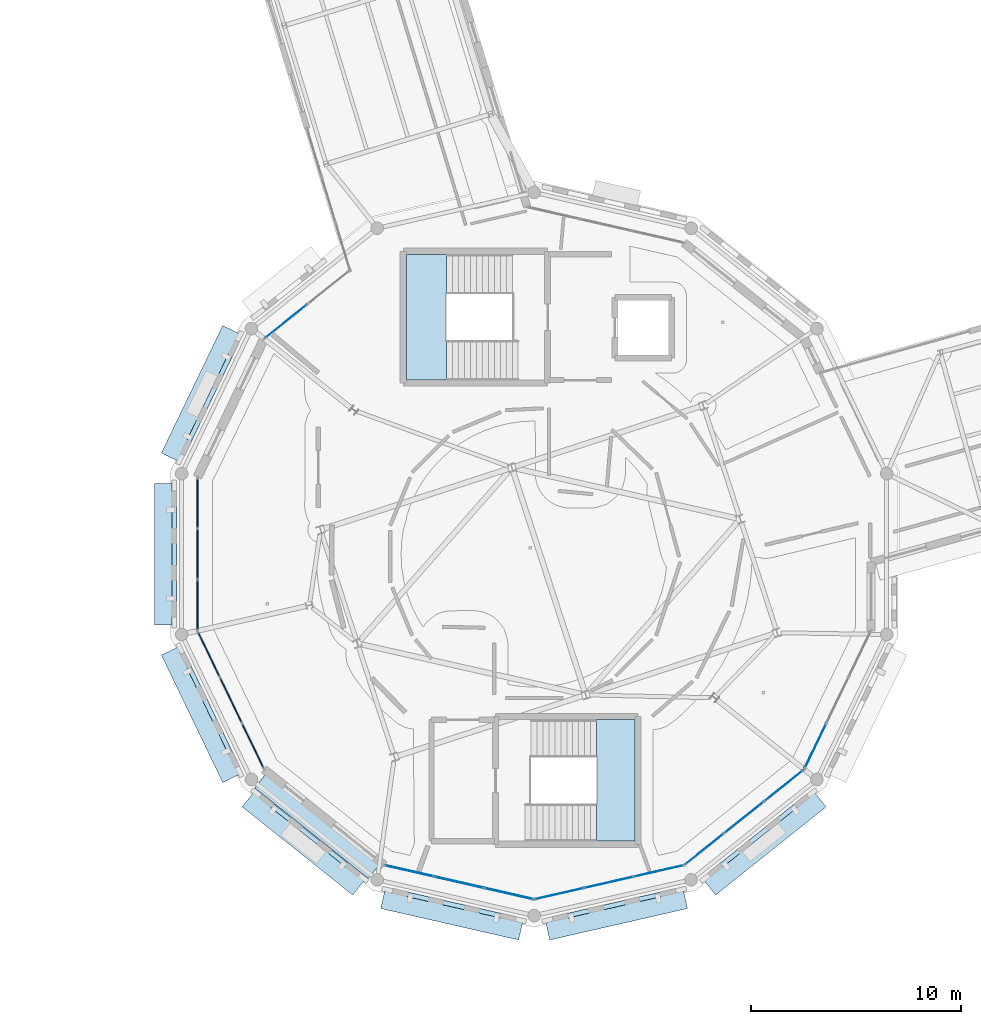
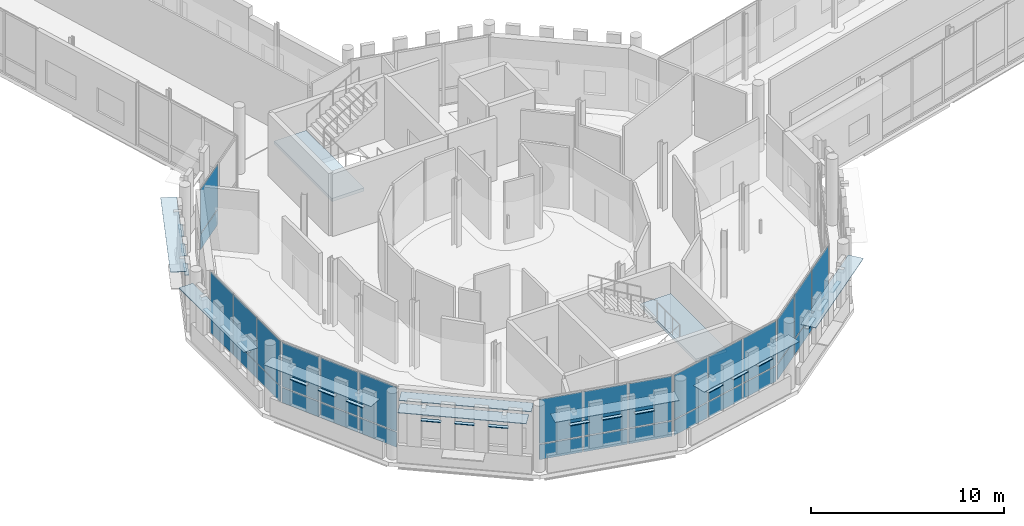
# One storey, part 70 of 125: 62 plates, 2 slabs, 9 elements without a shape of their own.
"""IFC4 building model written with IfcOpenShell, lengths in metres."""

import ifcopenshell
import ifcopenshell.guid

model = None  # the IFC model being written
_history = None  # IfcOwnerHistory: only IFC2X3 demands one
_inside = {}  # id of a spatial element -> (the spatial element, [elements in it])
_under = {}  # id of a project, library or spatial element -> (it, [spatial elements below it])
_declared = {}  # id of a project -> (the project, [libraries it declares])
_typed = {}  # id of a type object -> (the type object, [elements of that type])
_made_of = {}  # id of a material, layer set ... -> (it, [elements and type objects made of it])


def new_model(schema):
    """Start an empty IFC model of exactly this schema.

    Asked for "IFC4X3", IfcOpenShell would pick the latest addendum, in which some entities
    have other attributes; the version numbers below select the first issue.
    IFC2X3 requires an IfcOwnerHistory on every rooted entity: one is made here for all.
    """
    global model, _history
    if schema == "IFC4X3":
        model = ifcopenshell.file(schema_version=(4, 3, 0, 0))
    else:
        model = ifcopenshell.file(schema=schema)
    _inside.clear()
    _under.clear()
    _declared.clear()
    _typed.clear()
    _made_of.clear()
    _history = None
    if model.schema == "IFC2X3":
        org = make("IfcOrganization", Name="unknown")
        user = make(
            "IfcPersonAndOrganization",
            ThePerson=make("IfcPerson", FamilyName="unknown"),
            TheOrganization=org,
        )
        app = make(
            "IfcApplication",
            ApplicationDeveloper=org,
            Version="unknown",
            ApplicationFullName="unknown",
            ApplicationIdentifier="unknown",
        )
        _history = make(
            "IfcOwnerHistory",
            OwningUser=user,
            OwningApplication=app,
            ChangeAction="ADDED",
            CreationDate=0,
        )
    return model


def make(cls, **values):
    """One entity of the class cls with the attributes given. An attribute that is None is left unset."""
    return model.create_entity(
        cls, **{name: value for name, value in values.items() if value is not None}
    )


def rooted(cls, **values):
    """An entity with a GlobalId (a new one), such as an element, a storey or a relation."""
    return make(cls, GlobalId=ifcopenshell.guid.new(), OwnerHistory=_history, **values)


def si_unit(unit_type, name, prefix=None):
    """IfcSIUnit, for example si_unit("LENGTHUNIT", "METRE", prefix="MILLI")."""
    return make("IfcSIUnit", UnitType=unit_type, Prefix=prefix, Name=name)


def assignment(units):
    """IfcUnitAssignment: the units of a project."""
    return None if units is None else make("IfcUnitAssignment", Units=units)


def point(xyz):
    """IfcCartesianPoint."""
    return None if xyz is None else make("IfcCartesianPoint", Coordinates=xyz)


def direction(xyz):
    """IfcDirection."""
    return None if xyz is None else make("IfcDirection", DirectionRatios=xyz)


def frame(location, z_axis=None, x_axis=None):
    """IfcAxis2Placement3D, a coordinate frame: its origin and axes. An axis left out is left unset."""
    return make(
        "IfcAxis2Placement3D",
        Location=point(location),
        Axis=direction(z_axis),
        RefDirection=direction(x_axis),
    )


def frame_2d(location, x_axis=None):
    """IfcAxis2Placement2D, a coordinate frame in the plane: its origin and x axis."""
    return make(
        "IfcAxis2Placement2D", Location=point(location), RefDirection=direction(x_axis)
    )


def origin():
    """The frame at (0, 0, 0) with its axes left unset."""
    return frame((0.0, 0.0, 0.0))


def origin_2d():
    """The frame at (0, 0) in the plane with its x axis left unset."""
    return frame_2d((0.0, 0.0))


def place(relative_to, where):
    """IfcLocalPlacement: puts the frame where relative to a parent placement (None: the world)."""
    return make(
        "IfcLocalPlacement", PlacementRelTo=relative_to, RelativePlacement=where
    )


def context(
    kind, dimensions, precision=None, world=None, true_north=None, identifier=None
):
    """IfcGeometricRepresentationContext, for example the 3D "Model" context."""
    return make(
        "IfcGeometricRepresentationContext",
        ContextIdentifier=identifier,
        ContextType=kind,
        CoordinateSpaceDimension=dimensions,
        Precision=precision,
        WorldCoordinateSystem=world,
        TrueNorth=true_north,
    )


def subcontext(parent, identifier, kind, view, scale=None):
    """IfcGeometricRepresentationSubContext, for example "Body" below "Model"."""
    return make(
        "IfcGeometricRepresentationSubContext",
        ContextIdentifier=identifier,
        ContextType=kind,
        ParentContext=parent,
        TargetScale=scale,
        TargetView=view,
    )


def project(units=None, contexts=None):
    """IfcProject with its units and contexts."""
    return rooted(
        "IfcProject",
        Name="project",
        RepresentationContexts=contexts,
        UnitsInContext=assignment(units),
    )


def spatial(cls, under=None, at=None, **own):
    """A site, building, storey or space (cls), placed at a placement, below another one or the project."""
    s = rooted(cls, ObjectPlacement=at, **own)
    if under is not None:
        _under.setdefault(under.id(), (under, []))[1].append(s)
    return s


def polyline(points):
    """IfcPolyline through the points."""
    return make("IfcPolyline", Points=[point(p) for p in points])


def profile(cls, at=None, kind="AREA", **sizes):
    """A parametric profile (cls). Its sizes go by their IFC names, for example OverallWidth=200.0."""
    return make(cls, ProfileType=kind, Position=at, **sizes)


def rectangle(**sizes):
    """IfcRectangleProfileDef."""
    return profile("IfcRectangleProfileDef", **sizes)


def outline(outer, holes=None, kind="AREA"):
    """IfcArbitraryClosedProfileDef: a profile drawn as a closed curve; with holes, ...WithVoids."""
    if holes is None:
        return make("IfcArbitraryClosedProfileDef", ProfileType=kind, OuterCurve=outer)
    return make(
        "IfcArbitraryProfileDefWithVoids",
        ProfileType=kind,
        OuterCurve=outer,
        InnerCurves=holes,
    )


def extrude(swept, where, along, depth):
    """IfcExtrudedAreaSolid: the profile swept, set in the frame where, extruded along a direction by depth."""
    return make(
        "IfcExtrudedAreaSolid",
        SweptArea=swept,
        Position=where,
        ExtrudedDirection=direction(along),
        Depth=depth,
    )


def shape(context_of_items, identifier, shape_type, items):
    """IfcShapeRepresentation: the items that make up one representation, for example the "Body"."""
    return make(
        "IfcShapeRepresentation",
        ContextOfItems=context_of_items,
        RepresentationIdentifier=identifier,
        RepresentationType=shape_type,
        Items=items,
    )


def material(Name=None, Category=None):
    """IfcMaterial."""
    return make("IfcMaterial", Name=Name, Category=Category)


def layer(
    of_material, thickness, ventilated=None, Name=None, Category=None, Priority=None
):
    """IfcMaterialLayer: one layer of a wall or slab, of a material (None: an air gap)."""
    return make(
        "IfcMaterialLayer",
        Material=of_material,
        LayerThickness=thickness,
        IsVentilated=ventilated,
        Name=Name,
        Category=Category,
        Priority=Priority,
    )


def layer_set(layers, Name=None):
    """IfcMaterialLayerSet."""
    return make("IfcMaterialLayerSet", MaterialLayers=layers, LayerSetName=Name)


def made_of(thing, what):
    """Note that an element or type object is made of a material, layer set ...; save() writes the relation."""
    if what is not None:
        _made_of.setdefault(what.id(), (what, []))[1].append(thing)
    return thing


def type_object(cls, material=None, **own):
    """A type object (cls), such as IfcWallType, which elements share."""
    return made_of(rooted(cls, **own), material)


def element(
    cls,
    number,
    at=None,
    inside=None,
    cuts=None,
    type_object=None,
    material=None,
    context=None,
    identifier="Body",
    shape_type=None,
    held_by="IfcProductDefinitionShape",
    body=None,
    shapes=None,
    **own,
):
    """One element of the class cls, such as IfcWall. Its Tag is "e" and its number.

    at: its placement. inside: the storey or other place that contains it. cuts: it is an
    opening in that element (IfcRelVoidsElement). A single representation is given by context,
    identifier, shape_type and body (its items); several are given by shapes. held_by: the class
    of the entity that holds the representations. save() writes the other relations.
    """
    e = rooted(cls, Tag="e%d" % number, ObjectPlacement=at, **own)
    if body is not None:
        shapes = [shape(context, identifier, shape_type, body)]
    if shapes is not None:
        e.Representation = make(held_by, Representations=shapes)
    if inside is not None:
        _inside.setdefault(inside.id(), (inside, []))[1].append(e)
    if cuts is not None:
        rooted(
            "IfcRelVoidsElement", RelatingBuildingElement=cuts, RelatedOpeningElement=e
        )
    if type_object is not None:
        _typed.setdefault(type_object.id(), (type_object, []))[1].append(e)
    return made_of(e, material)


def aggregate(whole, parts):
    """IfcRelAggregates: a whole, such as a stair, and the parts it consists of."""
    return rooted("IfcRelAggregates", RelatingObject=whole, RelatedObjects=parts)


def save(model, path):
    """Write the relations noted so far, then the file.

    IfcRelAggregates (storeys below a building ...), IfcRelContainedInSpatialStructure (elements
    in a storey), IfcRelDefinesByType, IfcRelAssociatesMaterial and IfcRelDeclares: one each for
    every whole, place, type object, material and project.
    """
    for whole, parts in _under.values():
        aggregate(whole, parts)
    for where, things in _inside.values():
        rooted(
            "IfcRelContainedInSpatialStructure",
            RelatedElements=things,
            RelatingStructure=where,
        )
    for kind, things in _typed.values():
        rooted("IfcRelDefinesByType", RelatedObjects=things, RelatingType=kind)
    for what, things in _made_of.values():
        rooted("IfcRelAssociatesMaterial", RelatedObjects=things, RelatingMaterial=what)
    for by, libraries in _declared.values():
        rooted("IfcRelDeclares", RelatingContext=by, RelatedDefinitions=libraries)
    model.write(path)


model = new_model("IFC4")

# Units and contexts
model_context = context("Model", 3, precision=1e-05, world=origin(), true_north=direction((0.0, 1.0)))
body_context = subcontext(model_context, "Body", "Model", "MODEL_VIEW")
ifc_project = project(units=[si_unit("LENGTHUNIT", "METRE"), si_unit("AREAUNIT", "SQUARE_METRE"), si_unit("VOLUMEUNIT", "CUBIC_METRE"), si_unit("PLANEANGLEUNIT", "RADIAN"), si_unit("MASSUNIT", "GRAM", prefix="KILO")], contexts=[model_context])

# Site, building, storey
site_placement = place(None, origin())
site = spatial("IfcSite", under=ifc_project, at=site_placement, CompositionType="ELEMENT")
building_placement = place(site_placement, origin())
building = spatial("IfcBuilding", under=site, at=building_placement, Name="Wrenclough Park School", CompositionType="ELEMENT")
storey_placement = place(building_placement, frame((0.0, 0.0, 4.199951171875)))
storey = spatial("IfcBuildingStorey", under=building, at=storey_placement, Name="L01", CompositionType="ELEMENT", Elevation=4.199951171875)

# Curtain wall, plates
ifc_material_1 = material(Name="Thermally broken aluminium and low-e glass curtain wall", Category="aluminium")
curtain_wall_type_1 = type_object("IfcCurtainWallType", Name="ENV-CW-05", PredefinedType="USERDEFINED", material=ifc_material_1)
curtain_wall_1_placement = place(storey_placement, origin())
curtain_wall_1 = element("IfcCurtainWall", 1, at=curtain_wall_1_placement, inside=storey, type_object=curtain_wall_type_1, Name="L01 recessed curtain wall assembly 084", ObjectType="CURTAIN WALL", PredefinedType="USERDEFINED")
ifc_material_2 = material(Name="Double-glazed solar-control low-e glass", Category="glass")
ifc_layer_1 = layer(ifc_material_2, 0.02587890625)
ifc_layer_set_1 = layer_set([ifc_layer_1], Name="Double-glazed solar-control low-e glass")
plate_type_1 = type_object("IfcPlateType", Name="ENV-CWP-GL26", PredefinedType="CURTAIN_PANEL", material=ifc_layer_set_1)
plate_1_placement = place(storey_placement, frame((42.4404296875, 8.37890625, 0.06005859375), z_axis=(0.0, 0.0, 1.0), x_axis=(-0.974929544745, -0.222513781108, 0.0)))
plate_1 = element("IfcPlate", 2, at=plate_1_placement, type_object=plate_type_1, Name="CW-05 panel 1.1", PredefinedType="CURTAIN_PANEL", context=body_context, shape_type="SweptSolid", body=[
    extrude(rectangle(XDim=2.3515625, YDim=0.02587890625, at=origin_2d()), origin(), (0.0, 0.0, 1.0), 0.9599609375),
])
plate_2_placement = place(storey_placement, frame((42.4404296875, 8.37890625, 1.080078125), z_axis=(0.0, 0.0, 1.0), x_axis=(-0.974929544745, -0.222513781108, 0.0)))
plate_2 = element("IfcPlate", 3, at=plate_2_placement, type_object=plate_type_1, Name="CW-05 panel 1.2", PredefinedType="CURTAIN_PANEL", context=body_context, shape_type="SweptSolid", body=[
    extrude(rectangle(XDim=2.3515625, YDim=0.02587890625, at=origin_2d()), origin(), (0.0, 0.0, 1.0), 2.800048828125),
])
plate_3_placement = place(storey_placement, frame((40.074462890625, 7.8388671875, 0.06005859375), z_axis=(0.0, 0.0, 1.0), x_axis=(-0.974929544745, -0.222513781108, 0.0)))
plate_3 = element("IfcPlate", 4, at=plate_3_placement, type_object=plate_type_1, Name="CW-05 panel 2.1", PredefinedType="CURTAIN_PANEL", context=body_context, shape_type="SweptSolid", body=[
    extrude(rectangle(XDim=2.381591796875, YDim=0.02587890625, at=origin_2d()), origin(), (0.0, 0.0, 1.0), 0.9599609375),
])
plate_4_placement = place(storey_placement, frame((40.074462890625, 7.8388671875, 1.080078125), z_axis=(0.0, 0.0, 1.0), x_axis=(-0.974929544745, -0.222513781108, 0.0)))
plate_4 = element("IfcPlate", 5, at=plate_4_placement, type_object=plate_type_1, Name="CW-05 panel 2.2", PredefinedType="CURTAIN_PANEL", context=body_context, shape_type="SweptSolid", body=[
    extrude(rectangle(XDim=2.381591796875, YDim=0.02587890625, at=origin_2d()), origin(), (0.0, 0.0, 1.0), 2.800048828125),
])
plate_5_placement = place(storey_placement, frame((37.708740234375, 7.299072265625, 0.06005859375), z_axis=(0.0, 0.0, 1.0), x_axis=(-0.974929544745, -0.222513781108, 0.0)))
plate_5 = element("IfcPlate", 6, at=plate_5_placement, type_object=plate_type_1, Name="CW-05 panel 3.1", PredefinedType="CURTAIN_PANEL", context=body_context, shape_type="SweptSolid", body=[
    extrude(rectangle(XDim=2.3515625, YDim=0.02587890625, at=origin_2d()), origin(), (0.0, 0.0, 1.0), 0.9599609375),
])
plate_6_placement = place(storey_placement, frame((37.708740234375, 7.299072265625, 1.080078125), z_axis=(0.0, 0.0, 1.0), x_axis=(-0.974929544745, -0.222513781108, 0.0)))
plate_6 = element("IfcPlate", 7, at=plate_6_placement, type_object=plate_type_1, Name="CW-05 panel 3.2", PredefinedType="CURTAIN_PANEL", context=body_context, shape_type="SweptSolid", body=[
    extrude(rectangle(XDim=2.3515625, YDim=0.02587890625, at=origin_2d()), origin(), (0.0, 0.0, 1.0), 2.800048828125),
])
aggregate(curtain_wall_1, [plate_1, plate_2, plate_3, plate_4, plate_5, plate_6])

curtain_wall_type_2 = type_object("IfcCurtainWallType", Name="ENV-CW-09", PredefinedType="USERDEFINED", material=ifc_material_1)
curtain_wall_2_placement = place(storey_placement, origin())
curtain_wall_2 = element("IfcCurtainWall", 8, at=curtain_wall_2_placement, inside=storey, type_object=curtain_wall_type_2, Name="L01 recessed curtain wall assembly 088", ObjectType="CURTAIN WALL", PredefinedType="USERDEFINED")
plate_7_placement = place(storey_placement, frame((24.656494140625, 34.6015625, 0.06494140625), z_axis=(0.0, 0.0, 1.0), x_axis=(0.781848493934, 0.623468469558, 0.0)))
plate_7 = element("IfcPlate", 9, at=plate_7_placement, type_object=plate_type_1, Name="CW-09 panel 1.1", PredefinedType="CURTAIN_PANEL", context=body_context, shape_type="SweptSolid", body=[
    extrude(rectangle(XDim=2.51904296875, YDim=0.02587890625, at=origin_2d()), origin(), (0.0, 0.0, 1.0), 0.952392578125),
])
plate_8_placement = place(storey_placement, frame((24.656494140625, 34.6015625, 1.08251953125), z_axis=(0.0, 0.0, 1.0), x_axis=(0.781848493934, 0.623468469558, 0.0)))
plate_8 = element("IfcPlate", 10, at=plate_8_placement, type_object=plate_type_1, Name="CW-09 panel 1.2", PredefinedType="CURTAIN_PANEL", context=body_context, shape_type="SweptSolid", body=[
    extrude(rectangle(XDim=2.51904296875, YDim=0.02587890625, at=origin_2d()), origin(), (0.0, 0.0, 1.0), 2.79248046875),
])
aggregate(curtain_wall_2, [plate_7, plate_8])

curtain_wall_type_3 = type_object("IfcCurtainWallType", Name="ENV-CW-13", PredefinedType="USERDEFINED", material=ifc_material_1)
curtain_wall_3_placement = place(storey_placement, origin())
curtain_wall_3 = element("IfcCurtainWall", 11, at=curtain_wall_3_placement, inside=storey, type_object=curtain_wall_type_3, Name="L01 recessed curtain wall assembly 140", ObjectType="CURTAIN WALL", PredefinedType="USERDEFINED")
plate_9_placement = place(storey_placement, frame((48.410888671875, 12.4521484375, 0.06982421875), z_axis=(0.0, 0.0, 1.0), x_axis=(-0.781836181091, -0.623483909926, 0.0)))
plate_9 = element("IfcPlate", 12, at=plate_9_placement, type_object=plate_type_1, Name="CW-13 panel 1.1", PredefinedType="CURTAIN_PANEL", context=body_context, shape_type="SweptSolid", body=[
    extrude(rectangle(XDim=2.336669921875, YDim=0.02587890625, at=origin_2d()), origin(), (0.0, 0.0, 1.0), 0.945068359375),
])
plate_10_placement = place(storey_placement, frame((48.410888671875, 12.4521484375, 1.0849609375), z_axis=(0.0, 0.0, 1.0), x_axis=(-0.781836181091, -0.623483909926, 0.0)))
plate_10 = element("IfcPlate", 13, at=plate_10_placement, type_object=plate_type_1, Name="CW-13 panel 1.2", PredefinedType="CURTAIN_PANEL", context=body_context, shape_type="SweptSolid", body=[
    extrude(rectangle(XDim=2.336669921875, YDim=0.02587890625, at=origin_2d()), origin(), (0.0, 0.0, 1.0), 2.784912109375),
])
plate_11_placement = place(storey_placement, frame((46.515625, 10.940673828125, 0.06982421875), z_axis=(0.0, 0.0, 1.0), x_axis=(-0.781836181091, -0.623483909926, 0.0)))
plate_11 = element("IfcPlate", 14, at=plate_11_placement, type_object=plate_type_1, Name="CW-13 panel 2.1", PredefinedType="CURTAIN_PANEL", context=body_context, shape_type="SweptSolid", body=[
    extrude(rectangle(XDim=2.37158203125, YDim=0.02587890625, at=origin_2d()), origin(), (0.0, 0.0, 1.0), 0.945068359375),
])
plate_12_placement = place(storey_placement, frame((46.515625, 10.940673828125, 1.0849609375), z_axis=(0.0, 0.0, 1.0), x_axis=(-0.781836181091, -0.623483909926, 0.0)))
plate_12 = element("IfcPlate", 15, at=plate_12_placement, type_object=plate_type_1, Name="CW-13 panel 2.2", PredefinedType="CURTAIN_PANEL", context=body_context, shape_type="SweptSolid", body=[
    extrude(rectangle(XDim=2.37158203125, YDim=0.02587890625, at=origin_2d()), origin(), (0.0, 0.0, 1.0), 2.784912109375),
])
plate_13_placement = place(storey_placement, frame((44.620361328125, 9.429443359375, 0.06982421875), z_axis=(0.0, 0.0, 1.0), x_axis=(-0.781836181091, -0.623483909926, 0.0)))
plate_13 = element("IfcPlate", 16, at=plate_13_placement, type_object=plate_type_1, Name="CW-13 panel 3.1", PredefinedType="CURTAIN_PANEL", context=body_context, shape_type="SweptSolid", body=[
    extrude(rectangle(XDim=2.336669921875, YDim=0.02587890625, at=origin_2d()), origin(), (0.0, 0.0, 1.0), 0.945068359375),
])
plate_14_placement = place(storey_placement, frame((44.620361328125, 9.429443359375, 1.0849609375), z_axis=(0.0, 0.0, 1.0), x_axis=(-0.781836181091, -0.623483909926, 0.0)))
plate_14 = element("IfcPlate", 17, at=plate_14_placement, type_object=plate_type_1, Name="CW-13 panel 3.2", PredefinedType="CURTAIN_PANEL", context=body_context, shape_type="SweptSolid", body=[
    extrude(rectangle(XDim=2.336669921875, YDim=0.02587890625, at=origin_2d()), origin(), (0.0, 0.0, 1.0), 2.784912109375),
])
aggregate(curtain_wall_3, [plate_9, plate_10, plate_11, plate_12, plate_13, plate_14])

# Curtain wall, plate
curtain_wall_type_4 = type_object("IfcCurtainWallType", Name="ENV-CW-12", PredefinedType="USERDEFINED", material=ifc_material_1)
curtain_wall_4_placement = place(storey_placement, origin())
curtain_wall_4 = element("IfcCurtainWall", 18, at=curtain_wall_4_placement, inside=storey, type_object=curtain_wall_type_4, Name="L01 recessed curtain wall assembly 139", ObjectType="CURTAIN WALL", PredefinedType="USERDEFINED")
ifc_material_3 = material(Name="Laminated sports-concourse safety glass", Category="glass")
ifc_layer_2 = layer(ifc_material_3, 0.0380859375)
ifc_layer_set_2 = layer_set([ifc_layer_2], Name="Laminated sports-concourse safety glass")
plate_type_2 = type_object("IfcPlateType", Name="ENV-CWP-GL38", PredefinedType="CURTAIN_PANEL", material=ifc_layer_set_2)
plate_15_placement = place(storey_placement, frame((49.920654296875, 14.344970703125, 0.06494140625), z_axis=(0.0, 0.0, 1.0), x_axis=(-0.433894837004, -0.900963523358, 0.0)))
plate_15 = element("IfcPlate", 19, at=plate_15_placement, type_object=plate_type_2, Name="CW-12 panel 3.1", PredefinedType="CURTAIN_PANEL", context=body_context, shape_type="SweptSolid", body=[
    extrude(rectangle(XDim=2.34423828125, YDim=0.0380859375, at=origin_2d()), origin(), (0.0, 0.0, 1.0), 0.952392578125),
])
aggregate(curtain_wall_4, [plate_15])

# Curtain wall, plates
curtain_wall_type_5 = type_object("IfcCurtainWallType", Name="ENV-CW-06", PredefinedType="USERDEFINED", material=ifc_material_1)
curtain_wall_5_placement = place(storey_placement, origin())
curtain_wall_5 = element("IfcCurtainWall", 20, at=curtain_wall_5_placement, inside=storey, type_object=curtain_wall_type_5, Name="L01 recessed curtain wall assembly 085", ObjectType="CURTAIN WALL", PredefinedType="USERDEFINED")
ifc_material_4 = material(Name="Insulated anodised aluminium spandrel panel", Category="aluminium")
ifc_layer_3 = layer(ifc_material_4, 0.0419921875)
ifc_layer_set_3 = layer_set([ifc_layer_3], Name="Insulated anodised aluminium spandrel panel")
plate_type_3 = type_object("IfcPlateType", Name="ENV-CWP-SP42", PredefinedType="CURTAIN_PANEL", material=ifc_layer_set_3)
plate_16_placement = place(storey_placement, frame((35.2900390625, 7.29931640625, 0.06494140625), z_axis=(0.0, 0.0, 1.0), x_axis=(-0.974930220677, 0.222510819536, 0.0)))
plate_16 = element("IfcPlate", 21, at=plate_16_placement, type_object=plate_type_3, Name="CW-06 panel 1.1", PredefinedType="CURTAIN_PANEL", context=body_context, shape_type="SweptSolid", body=[
    extrude(rectangle(XDim=2.34423828125, YDim=0.0419921875, at=origin_2d()), origin(), (0.0, 0.0, 1.0), 0.952392578125),
])
plate_17_placement = place(storey_placement, frame((35.2900390625, 7.29931640625, 1.08251953125), z_axis=(0.0, 0.0, 1.0), x_axis=(-0.974930220677, 0.222510819536, 0.0)))
plate_17 = element("IfcPlate", 22, at=plate_17_placement, type_object=plate_type_3, Name="CW-06 panel 1.2", PredefinedType="CURTAIN_PANEL", context=body_context, shape_type="SweptSolid", body=[
    extrude(rectangle(XDim=2.34423828125, YDim=0.0419921875, at=origin_2d()), origin(), (0.0, 0.0, 1.0), 2.79248046875),
])
plate_18_placement = place(storey_placement, frame((32.92529296875, 7.8388671875, 0.06494140625), z_axis=(0.0, 0.0, 1.0), x_axis=(-0.974930220677, 0.222510819536, 0.0)))
plate_18 = element("IfcPlate", 23, at=plate_18_placement, type_object=plate_type_3, Name="CW-06 panel 2.1", PredefinedType="CURTAIN_PANEL", context=body_context, shape_type="SweptSolid", body=[
    extrude(rectangle(XDim=2.376708984375, YDim=0.0419921875, at=origin_2d()), origin(), (0.0, 0.0, 1.0), 0.952392578125),
])
plate_19_placement = place(storey_placement, frame((32.92529296875, 7.8388671875, 1.08251953125), z_axis=(0.0, 0.0, 1.0), x_axis=(-0.974930220677, 0.222510819536, 0.0)))
plate_19 = element("IfcPlate", 24, at=plate_19_placement, type_object=plate_type_3, Name="CW-06 panel 2.2", PredefinedType="CURTAIN_PANEL", context=body_context, shape_type="SweptSolid", body=[
    extrude(rectangle(XDim=2.376708984375, YDim=0.0419921875, at=origin_2d()), origin(), (0.0, 0.0, 1.0), 2.79248046875),
])
plate_20_placement = place(storey_placement, frame((30.560791015625, 8.378662109375, 0.06494140625), z_axis=(0.0, 0.0, 1.0), x_axis=(-0.974930220677, 0.222510819536, 0.0)))
plate_20 = element("IfcPlate", 25, at=plate_20_placement, type_object=plate_type_3, Name="CW-06 panel 3.1", PredefinedType="CURTAIN_PANEL", context=body_context, shape_type="SweptSolid", body=[
    extrude(rectangle(XDim=2.34423828125, YDim=0.0419921875, at=origin_2d()), origin(), (0.0, 0.0, 1.0), 0.952392578125),
])
plate_21_placement = place(storey_placement, frame((30.560791015625, 8.378662109375, 1.08251953125), z_axis=(0.0, 0.0, 1.0), x_axis=(-0.974930220677, 0.222510819536, 0.0)))
plate_21 = element("IfcPlate", 26, at=plate_21_placement, type_object=plate_type_3, Name="CW-06 panel 3.2", PredefinedType="CURTAIN_PANEL", context=body_context, shape_type="SweptSolid", body=[
    extrude(rectangle(XDim=2.34423828125, YDim=0.0419921875, at=origin_2d()), origin(), (0.0, 0.0, 1.0), 2.79248046875),
])
aggregate(curtain_wall_5, [plate_16, plate_17, plate_18, plate_19, plate_20, plate_21])

curtain_wall_type_6 = type_object("IfcCurtainWallType", Name="ENV-CW-07", PredefinedType="USERDEFINED", material=ifc_material_1)
curtain_wall_6_placement = place(storey_placement, origin())
curtain_wall_6 = element("IfcCurtainWall", 27, at=curtain_wall_6_placement, inside=storey, type_object=curtain_wall_type_6, Name="L01 recessed curtain wall assembly 086", ObjectType="CURTAIN WALL", PredefinedType="USERDEFINED")
ifc_material_5 = material(Name="Insulated patinated copper-toned spandrel panel", Category="aluminium")
ifc_layer_4 = layer(ifc_material_5, 0.048095703125)
ifc_layer_set_4 = layer_set([ifc_layer_4], Name="Insulated patinated copper-toned spandrel panel")
plate_type_4 = type_object("IfcPlateType", Name="ENV-CWP-SP48", PredefinedType="CURTAIN_PANEL", material=ifc_layer_set_4)
plate_22_placement = place(storey_placement, frame((23.078857421875, 14.34619140625, 0.06982421875), z_axis=(0.0, 0.0, 1.0), x_axis=(-0.433894837004, 0.900963523358, 0.0)))
plate_22 = element("IfcPlate", 28, at=plate_22_placement, type_object=plate_type_4, Name="CW-07 panel 1.1", PredefinedType="CURTAIN_PANEL", context=body_context, shape_type="SweptSolid", body=[
    extrude(rectangle(XDim=2.336669921875, YDim=0.048095703125, at=origin_2d()), origin(), (0.0, 0.0, 1.0), 0.945068359375),
])
plate_23_placement = place(storey_placement, frame((23.078857421875, 14.34619140625, 1.0849609375), z_axis=(0.0, 0.0, 1.0), x_axis=(-0.433894837004, 0.900963523358, 0.0)))
plate_23 = element("IfcPlate", 29, at=plate_23_placement, type_object=plate_type_4, Name="CW-07 panel 1.2", PredefinedType="CURTAIN_PANEL", context=body_context, shape_type="SweptSolid", body=[
    extrude(rectangle(XDim=2.336669921875, YDim=0.048095703125, at=origin_2d()), origin(), (0.0, 0.0, 1.0), 2.784912109375),
])
plate_24_placement = place(storey_placement, frame((22.027099609375, 16.5302734375, 0.06982421875), z_axis=(0.0, 0.0, 1.0), x_axis=(-0.433894837004, 0.900963523358, 0.0)))
plate_24 = element("IfcPlate", 30, at=plate_24_placement, type_object=plate_type_4, Name="CW-07 panel 2.1", PredefinedType="CURTAIN_PANEL", context=body_context, shape_type="SweptSolid", body=[
    extrude(rectangle(XDim=2.37158203125, YDim=0.048095703125, at=origin_2d()), origin(), (0.0, 0.0, 1.0), 0.945068359375),
])
plate_25_placement = place(storey_placement, frame((22.027099609375, 16.5302734375, 1.0849609375), z_axis=(0.0, 0.0, 1.0), x_axis=(-0.433894837004, 0.900963523358, 0.0)))
plate_25 = element("IfcPlate", 31, at=plate_25_placement, type_object=plate_type_4, Name="CW-07 panel 2.2", PredefinedType="CURTAIN_PANEL", context=body_context, shape_type="SweptSolid", body=[
    extrude(rectangle(XDim=2.37158203125, YDim=0.048095703125, at=origin_2d()), origin(), (0.0, 0.0, 1.0), 2.784912109375),
])
plate_26_placement = place(storey_placement, frame((20.97509765625, 18.71435546875, 0.06982421875), z_axis=(0.0, 0.0, 1.0), x_axis=(-0.433894837004, 0.900963523358, 0.0)))
plate_26 = element("IfcPlate", 32, at=plate_26_placement, type_object=plate_type_4, Name="CW-07 panel 3.1", PredefinedType="CURTAIN_PANEL", context=body_context, shape_type="SweptSolid", body=[
    extrude(rectangle(XDim=2.336669921875, YDim=0.048095703125, at=origin_2d()), origin(), (0.0, 0.0, 1.0), 0.945068359375),
])
plate_27_placement = place(storey_placement, frame((20.97509765625, 18.71435546875, 1.0849609375), z_axis=(0.0, 0.0, 1.0), x_axis=(-0.433894837004, 0.900963523358, 0.0)))
plate_27 = element("IfcPlate", 33, at=plate_27_placement, type_object=plate_type_4, Name="CW-07 panel 3.2", PredefinedType="CURTAIN_PANEL", context=body_context, shape_type="SweptSolid", body=[
    extrude(rectangle(XDim=2.336669921875, YDim=0.048095703125, at=origin_2d()), origin(), (0.0, 0.0, 1.0), 2.784912109375),
])
aggregate(curtain_wall_6, [plate_22, plate_23, plate_24, plate_25, plate_26, plate_27])

curtain_wall_type_7 = type_object("IfcCurtainWallType", Name="ENV-CW-08", PredefinedType="USERDEFINED", material=ifc_material_1)
curtain_wall_7_placement = place(storey_placement, origin())
curtain_wall_7 = element("IfcCurtainWall", 34, at=curtain_wall_7_placement, inside=storey, type_object=curtain_wall_type_7, Name="L01 recessed curtain wall assembly 087", ObjectType="CURTAIN WALL", PredefinedType="USERDEFINED")
ifc_material_6 = material(Name="Acoustic mineral-wool spandrel cassette", Category="aluminium")
ifc_layer_5 = layer(ifc_material_6, 0.053955078125)
ifc_layer_set_5 = layer_set([ifc_layer_5], Name="Acoustic mineral-wool spandrel cassette")
plate_type_5 = type_object("IfcPlateType", Name="ENV-CWP-SP54", PredefinedType="CURTAIN_PANEL", material=ifc_layer_set_5)
plate_28_placement = place(storey_placement, frame((20.436279296875, 21.073486328125, 0.06005859375), z_axis=(0.0, 0.0, 1.0), x_axis=(0.0, 1.0, 0.0)))
plate_28 = element("IfcPlate", 35, at=plate_28_placement, type_object=plate_type_5, Name="CW-08 panel 1.1", PredefinedType="CURTAIN_PANEL", context=body_context, shape_type="SweptSolid", body=[
    extrude(rectangle(XDim=2.3515625, YDim=0.053955078125, at=origin_2d()), origin(), (0.0, 0.0, 1.0), 0.9599609375),
])
plate_29_placement = place(storey_placement, frame((20.436279296875, 21.073486328125, 1.080078125), z_axis=(0.0, 0.0, 1.0), x_axis=(0.0, 1.0, 0.0)))
plate_29 = element("IfcPlate", 36, at=plate_29_placement, type_object=plate_type_5, Name="CW-08 panel 1.2", PredefinedType="CURTAIN_PANEL", context=body_context, shape_type="SweptSolid", body=[
    extrude(rectangle(XDim=2.3515625, YDim=0.053955078125, at=origin_2d()), origin(), (0.0, 0.0, 1.0), 2.800048828125),
])
plate_30_placement = place(storey_placement, frame((20.436279296875, 23.5, 0.06005859375), z_axis=(0.0, 0.0, 1.0), x_axis=(0.0, 1.0, 0.0)))
plate_30 = element("IfcPlate", 37, at=plate_30_placement, type_object=plate_type_5, Name="CW-08 panel 2.1", PredefinedType="CURTAIN_PANEL", context=body_context, shape_type="SweptSolid", body=[
    extrude(rectangle(XDim=2.381591796875, YDim=0.053955078125, at=origin_2d()), origin(), (0.0, 0.0, 1.0), 0.9599609375),
])
plate_31_placement = place(storey_placement, frame((20.436279296875, 23.5, 1.080078125), z_axis=(0.0, 0.0, 1.0), x_axis=(0.0, 1.0, 0.0)))
plate_31 = element("IfcPlate", 38, at=plate_31_placement, type_object=plate_type_5, Name="CW-08 panel 2.2", PredefinedType="CURTAIN_PANEL", context=body_context, shape_type="SweptSolid", body=[
    extrude(rectangle(XDim=2.381591796875, YDim=0.053955078125, at=origin_2d()), origin(), (0.0, 0.0, 1.0), 2.800048828125),
])
plate_32_placement = place(storey_placement, frame((20.436279296875, 25.9267578125, 0.06005859375), z_axis=(0.0, 0.0, 1.0), x_axis=(0.0, 1.0, 0.0)))
plate_32 = element("IfcPlate", 39, at=plate_32_placement, type_object=plate_type_5, Name="CW-08 panel 3.1", PredefinedType="CURTAIN_PANEL", context=body_context, shape_type="SweptSolid", body=[
    extrude(rectangle(XDim=2.3515625, YDim=0.053955078125, at=origin_2d()), origin(), (0.0, 0.0, 1.0), 0.9599609375),
])
plate_33_placement = place(storey_placement, frame((20.436279296875, 25.9267578125, 1.080078125), z_axis=(0.0, 0.0, 1.0), x_axis=(0.0, 1.0, 0.0)))
plate_33 = element("IfcPlate", 40, at=plate_33_placement, type_object=plate_type_5, Name="CW-08 panel 3.2", PredefinedType="CURTAIN_PANEL", context=body_context, shape_type="SweptSolid", body=[
    extrude(rectangle(XDim=2.3515625, YDim=0.053955078125, at=origin_2d()), origin(), (0.0, 0.0, 1.0), 2.800048828125),
])
aggregate(curtain_wall_7, [plate_28, plate_29, plate_30, plate_31, plate_32, plate_33])

# Plates
ifc_material_7 = material(Name="Anodised architectural aluminium solar shading fin plate", Category="aluminium")
ifc_layer_6 = layer(ifc_material_7, 0.0380859375)
ifc_layer_set_6 = layer_set([ifc_layer_6], Name="Anodised architectural aluminium solar shading fin plate")
plate_type_6 = type_object("IfcPlateType", Name="ENV-PL-BSF", PredefinedType="SHEET", material=ifc_layer_set_6)
for number, where, z_axis, x_axis, name in (
    (41, (21.791259765625, 32.538330078125, 2.72216796875), (0.0, 0.0, 1.0), (-0.433870232106, -0.900975372412, 0.0), "D2 L01 open-bond brick screen tie band 0180"),
    (42, (21.02685546875, 30.951171875, 2.72216796875), (0.0, 0.0, 1.0), (-0.433870232106, -0.900975372412, 0.0), "D2 L01 open-bond brick screen tie band 0181"),
    (43, (20.2626953125, 29.36376953125, 2.72216796875), (0.0, 0.0, 1.0), (-0.433870232106, -0.900975372412, 0.0), "D2 L01 open-bond brick screen tie band 0182"),
):
    element("IfcPlate", number, at=place(storey_placement, frame(where, z_axis=z_axis, x_axis=x_axis)), inside=storey, type_object=plate_type_6, Name=name, PredefinedType="SHEET", context=body_context, shape_type="SweptSolid", body=[
        extrude(rectangle(XDim=1.07177734375, YDim=0.219970703125, at=origin_2d()), origin(), (0.0, 0.0, 1.0), 0.0419921875),
    ])
plate_34_placement = place(storey_placement, frame((20.560546875, 31.175537109375, 3.700927734375), z_axis=(0.0, 0.0, 1.0), x_axis=(-0.433870232106, -0.900975372412, 0.0)))
element("IfcPlate", 44, at=plate_34_placement, inside=storey, type_object=plate_type_6, Name="D2 L01 sun-side projecting brise-soleil blade 0012", PredefinedType="SHEET", context=body_context, shape_type="SweptSolid", body=[
    extrude(rectangle(XDim=6.746826171875, YDim=0.85009765625, at=origin_2d()), origin(), (0.0, 0.0, 1.0), 0.0380859375),
])
plate_35_placement = place(storey_placement, frame((19.326416015625, 25.261474609375, 2.72216796875), z_axis=(0.0, 0.0, 1.0), x_axis=(0.0, -1.0, 0.0)))
element("IfcPlate", 45, at=plate_35_placement, inside=storey, type_object=plate_type_6, Name="D2 L01 open-bond brick screen tie band 0183", PredefinedType="SHEET", context=body_context, shape_type="SweptSolid", body=[
    extrude(rectangle(XDim=1.0712890625, YDim=0.219970703125, at=origin_2d()), origin(), (0.0, 0.0, 1.0), 0.0419921875),
])
plate_36_placement = place(storey_placement, frame((19.326416015625, 23.5, 2.72216796875), z_axis=(0.0, 0.0, 1.0), x_axis=(0.0, -1.0, 0.0)))
element("IfcPlate", 46, at=plate_36_placement, inside=storey, type_object=plate_type_6, Name="D2 L01 open-bond brick screen tie band 0184", PredefinedType="SHEET", context=body_context, shape_type="SweptSolid", body=[
    extrude(rectangle(XDim=1.071533203125, YDim=0.219970703125, at=origin_2d()), origin(), (0.0, 0.0, 1.0), 0.0419921875),
])
plate_37_placement = place(storey_placement, frame((19.326416015625, 21.738525390625, 2.72216796875), z_axis=(0.0, 0.0, 1.0), x_axis=(0.0, -1.0, 0.0)))
element("IfcPlate", 47, at=plate_37_placement, inside=storey, type_object=plate_type_6, Name="D2 L01 open-bond brick screen tie band 0185", PredefinedType="SHEET", context=body_context, shape_type="SweptSolid", body=[
    extrude(rectangle(XDim=1.0712890625, YDim=0.219970703125, at=origin_2d()), origin(), (0.0, 0.0, 1.0), 0.0419921875),
])
plate_38_placement = place(storey_placement, frame((18.808837890625, 23.5, 3.700927734375), z_axis=(0.0, 0.0, 1.0), x_axis=(0.0, -1.0, 0.0)))
element("IfcPlate", 48, at=plate_38_placement, inside=storey, type_object=plate_type_6, Name="D2 L01 sun-side projecting brise-soleil blade 0013", PredefinedType="SHEET", context=body_context, shape_type="SweptSolid", body=[
    extrude(rectangle(XDim=6.74609375, YDim=0.85009765625, at=origin_2d()), origin(), (0.0, 0.0, 1.0), 0.0380859375),
])
for number, where, z_axis, x_axis, name in (
    (49, (20.2626953125, 17.63623046875, 2.72216796875), (0.0, 0.0, 1.0), (0.433881751488, -0.900969825092, 0.0), "D2 L01 open-bond brick screen tie band 0186"),
    (50, (21.02685546875, 16.048828125, 2.72216796875), (0.0, 0.0, 1.0), (0.433881751488, -0.900969825092, 0.0), "D2 L01 open-bond brick screen tie band 0187"),
    (51, (21.79150390625, 14.461669921875, 2.72216796875), (0.0, 0.0, 1.0), (0.433881751488, -0.900969825092, 0.0), "D2 L01 open-bond brick screen tie band 0188"),
):
    element("IfcPlate", number, at=place(storey_placement, frame(where, z_axis=z_axis, x_axis=x_axis)), inside=storey, type_object=plate_type_6, Name=name, PredefinedType="SHEET", context=body_context, shape_type="SweptSolid", body=[
        extrude(rectangle(XDim=1.07177734375, YDim=0.219970703125, at=origin_2d()), origin(), (0.0, 0.0, 1.0), 0.0419921875),
    ])
plate_39_placement = place(storey_placement, frame((20.560791015625, 15.824462890625, 3.700927734375), z_axis=(0.0, 0.0, 1.0), x_axis=(0.433881751488, -0.900969825092, 0.0)))
element("IfcPlate", 52, at=plate_39_placement, inside=storey, type_object=plate_type_6, Name="D2 L01 sun-side projecting brise-soleil blade 0014", PredefinedType="SHEET", context=body_context, shape_type="SweptSolid", body=[
    extrude(rectangle(XDim=6.746826171875, YDim=0.85009765625, at=origin_2d()), origin(), (0.0, 0.0, 1.0), 0.0380859375),
])
for number, where, z_axis, x_axis, name in (
    (53, (24.414794921875, 11.171630859375, 2.72216796875), (0.0, 0.0, 1.0), (0.781827272043, -0.623495081528, 0.0), "D2 L01 open-bond brick screen tie band 0189"),
    (54, (25.7919921875, 10.0732421875, 2.72216796875), (0.0, 0.0, 1.0), (0.781827272043, -0.623495081528, 0.0), "D2 L01 open-bond brick screen tie band 0190"),
    (55, (27.16943359375, 8.974853515625, 2.72216796875), (0.0, 0.0, 1.0), (0.781827272043, -0.623495081528, 0.0), "D2 L01 open-bond brick screen tie band 0191"),
):
    element("IfcPlate", number, at=place(storey_placement, frame(where, z_axis=z_axis, x_axis=x_axis)), inside=storey, type_object=plate_type_6, Name=name, PredefinedType="SHEET", context=body_context, shape_type="SweptSolid", body=[
        extrude(rectangle(XDim=1.07177734375, YDim=0.219970703125, at=origin_2d()), origin(), (0.0, 0.0, 1.0), 0.0419921875),
    ])
plate_40_placement = place(storey_placement, frame((25.469482421875, 9.668701171875, 3.700927734375), z_axis=(0.0, 0.0, 1.0), x_axis=(0.781827272043, -0.623495081528, 0.0)))
element("IfcPlate", 56, at=plate_40_placement, inside=storey, type_object=plate_type_6, Name="D2 L01 sun-side projecting brise-soleil blade 0015", PredefinedType="SHEET", context=body_context, shape_type="SweptSolid", body=[
    extrude(rectangle(XDim=6.747314453125, YDim=0.85009765625, at=origin_2d()), origin(), (0.0, 0.0, 1.0), 0.0380859375),
])
plate_41_placement = place(storey_placement, frame((30.960693359375, 7.14892578125, 2.72216796875), z_axis=(0.0, 0.0, 1.0), x_axis=(0.974924601018, -0.222535440615, 0.0)))
element("IfcPlate", 57, at=plate_41_placement, inside=storey, type_object=plate_type_6, Name="D2 L01 open-bond brick screen tie band 0192", PredefinedType="SHEET", context=body_context, shape_type="SweptSolid", body=[
    extrude(rectangle(XDim=1.07177734375, YDim=0.219970703125, at=origin_2d()), origin(), (0.0, 0.0, 1.0), 0.0419921875),
])
plate_42_placement = place(storey_placement, frame((32.67822265625, 6.7568359375, 2.72216796875), z_axis=(0.0, 0.0, 1.0), x_axis=(0.974924601018, -0.222535440615, 0.0)))
element("IfcPlate", 58, at=plate_42_placement, inside=storey, type_object=plate_type_6, Name="D2 L01 open-bond brick screen tie band 0193", PredefinedType="SHEET", context=body_context, shape_type="SweptSolid", body=[
    extrude(rectangle(XDim=1.072021484375, YDim=0.219970703125, at=origin_2d()), origin(), (0.0, 0.0, 1.0), 0.0419921875),
])
plate_43_placement = place(storey_placement, frame((34.39599609375, 6.364990234375, 2.72216796875), z_axis=(0.0, 0.0, 1.0), x_axis=(0.974924601018, -0.222535440615, 0.0)))
element("IfcPlate", 59, at=plate_43_placement, inside=storey, type_object=plate_type_6, Name="D2 L01 open-bond brick screen tie band 0194", PredefinedType="SHEET", context=body_context, shape_type="SweptSolid", body=[
    extrude(rectangle(XDim=1.07177734375, YDim=0.219970703125, at=origin_2d()), origin(), (0.0, 0.0, 1.0), 0.0419921875),
])
plate_44_placement = place(storey_placement, frame((32.56298828125, 6.25244140625, 3.700927734375), z_axis=(0.0, 0.0, 1.0), x_axis=(0.974924601018, -0.222535440615, 0.0)))
element("IfcPlate", 60, at=plate_44_placement, inside=storey, type_object=plate_type_6, Name="D2 L01 sun-side projecting brise-soleil blade 0016", PredefinedType="SHEET", context=body_context, shape_type="SweptSolid", body=[
    extrude(rectangle(XDim=6.747314453125, YDim=0.85009765625, at=origin_2d()), origin(), (0.0, 0.0, 1.0), 0.0380859375),
])
for number, where, z_axis, x_axis, name in (
    (61, (38.603759765625, 6.36474609375, 2.72216796875), (0.0, 0.0, 1.0), (0.974926809846, 0.222525763552, 0.0), "D2 L01 open-bond brick screen tie band 0195"),
    (62, (40.3212890625, 6.7568359375, 2.72216796875), (0.0, 0.0, 1.0), (0.974926809846, 0.222525763552, 0.0), "D2 L01 open-bond brick screen tie band 0196"),
    (63, (42.038818359375, 7.148681640625, 2.72216796875), (0.0, 0.0, 1.0), (0.974926809846, 0.222525763552, 0.0), "D2 L01 open-bond brick screen tie band 0197"),
):
    element("IfcPlate", number, at=place(storey_placement, frame(where, z_axis=z_axis, x_axis=x_axis)), inside=storey, type_object=plate_type_6, Name=name, PredefinedType="SHEET", context=body_context, shape_type="SweptSolid", body=[
        extrude(rectangle(XDim=1.071533203125, YDim=0.219970703125, at=origin_2d()), origin(), (0.0, 0.0, 1.0), 0.0419921875),
    ])
plate_45_placement = place(storey_placement, frame((40.436279296875, 6.252197265625, 3.700927734375), z_axis=(0.0, 0.0, 1.0), x_axis=(0.974926809846, 0.222525763552, 0.0)))
element("IfcPlate", 64, at=plate_45_placement, inside=storey, type_object=plate_type_6, Name="D2 L01 sun-side projecting brise-soleil blade 0017", PredefinedType="SHEET", context=body_context, shape_type="SweptSolid", body=[
    extrude(rectangle(XDim=6.746337890625, YDim=0.85009765625, at=origin_2d()), origin(), (0.0, 0.0, 1.0), 0.0380859375),
])
for number, where, z_axis, x_axis, name in (
    (65, (45.830078125, 8.974365234375, 2.72216796875), (0.0, 0.0, 1.0), (0.781832700782, 0.623488274139, 0.0), "D2 L01 open-bond brick screen tie band 0198"),
    (66, (47.207763671875, 10.072998046875, 2.72216796875), (0.0, 0.0, 1.0), (0.781832700782, 0.623488274139, 0.0), "D2 L01 open-bond brick screen tie band 0199"),
    (67, (48.585205078125, 11.17138671875, 2.72216796875), (0.0, 0.0, 1.0), (0.781832700782, 0.623488274139, 0.0), "D2 L01 open-bond brick screen tie band 0200"),
):
    element("IfcPlate", number, at=place(storey_placement, frame(where, z_axis=z_axis, x_axis=x_axis)), inside=storey, type_object=plate_type_6, Name=name, PredefinedType="SHEET", context=body_context, shape_type="SweptSolid", body=[
        extrude(rectangle(XDim=1.072021484375, YDim=0.219970703125, at=origin_2d()), origin(), (0.0, 0.0, 1.0), 0.0419921875),
    ])
plate_46_placement = place(storey_placement, frame((47.5302734375, 9.66845703125, 3.700927734375), z_axis=(0.0, 0.0, 1.0), x_axis=(0.781832700782, 0.623488274139, 0.0)))
element("IfcPlate", 68, at=plate_46_placement, inside=storey, type_object=plate_type_6, Name="D2 L01 sun-side projecting brise-soleil blade 0018", PredefinedType="SHEET", context=body_context, shape_type="SweptSolid", body=[
    extrude(rectangle(XDim=6.747802734375, YDim=0.85009765625, at=origin_2d()), origin(), (0.0, 0.0, 1.0), 0.0380859375),
])
plate_47_placement = place(storey_placement, frame((26.12890625, 10.4951171875, 3.720947265625), z_axis=(0.0, 0.0, 1.0), x_axis=(-0.781820526252, 0.623503540271, 0.0)))
element("IfcPlate", 69, at=plate_47_placement, inside=storey, type_object=plate_type_6, Name="L01 link wing sun-side brise-soleil blade 0154", PredefinedType="SHEET", context=body_context, shape_type="SweptSolid", body=[
    extrude(rectangle(XDim=6.932861328125, YDim=0.800048828125, at=origin_2d()), origin(), (0.0, 0.0, 1.0), 0.0380859375),
])

# Stair, slab
ifc_material_8 = material(Name="Precast concrete C40/50", Category="concrete")
stair_type_1 = type_object("IfcStairType", Name="INT-ST-190-42", PredefinedType="HALF_TURN_STAIR", material=ifc_material_8)
stair_1_placement = place(storey_placement, origin())
stair_1 = element("IfcStair", 70, at=stair_1_placement, inside=storey, type_object=stair_type_1, Name="L01 escape stair ST-02", PredefinedType="HALF_TURN_STAIR")
ifc_layer_7 = layer(ifc_material_8, 0.195068359375)
ifc_layer_set_7 = layer_set([ifc_layer_7], Name="Precast concrete C40/50")
slab_type = type_object("IfcSlabType", Name="INT-SL-LAND195", PredefinedType="LANDING", material=ifc_layer_set_7)
slab_1_placement = place(storey_placement, frame((0.0, 0.0, 1.989013671875)))
slab_1 = element("IfcSlab", 71, at=slab_1_placement, type_object=slab_type, Name="ST-02 landing 1", PredefinedType="LANDING", context=body_context, shape_type="SweptSolid", body=[
    extrude(outline(polyline([(30.39990234375, 31.800048828125), (32.322998046875, 31.800048828125), (32.322998046875, 37.800048828125), (30.39990234375, 37.800048828125), (30.39990234375, 31.800048828125)])), origin(), (0.0, 0.0, 1.0), 0.195068359375),
])
aggregate(stair_1, [slab_1])

stair_type_2 = type_object("IfcStairType", Name="INT-ST-180-42", PredefinedType="HALF_TURN_STAIR", material=ifc_material_8)
stair_2_placement = place(storey_placement, origin())
stair_2 = element("IfcStair", 72, at=stair_2_placement, inside=storey, type_object=stair_type_2, Name="L01 escape stair ST-13", PredefinedType="HALF_TURN_STAIR")
slab_2_placement = place(storey_placement, frame((0.0, 0.0, 1.989013671875)))
slab_2 = element("IfcSlab", 73, at=slab_2_placement, type_object=slab_type, Name="ST-13 landing 1", PredefinedType="LANDING", context=body_context, shape_type="SweptSolid", body=[
    extrude(outline(polyline([(39.47705078125, 9.800048828125), (41.300048828125, 9.800048828125), (41.300048828125, 15.60009765625), (39.47705078125, 15.60009765625), (39.47705078125, 9.800048828125)])), origin(), (0.0, 0.0, 1.0), 0.195068359375),
])
aggregate(stair_2, [slab_2])

save(model, "model.ifc")
